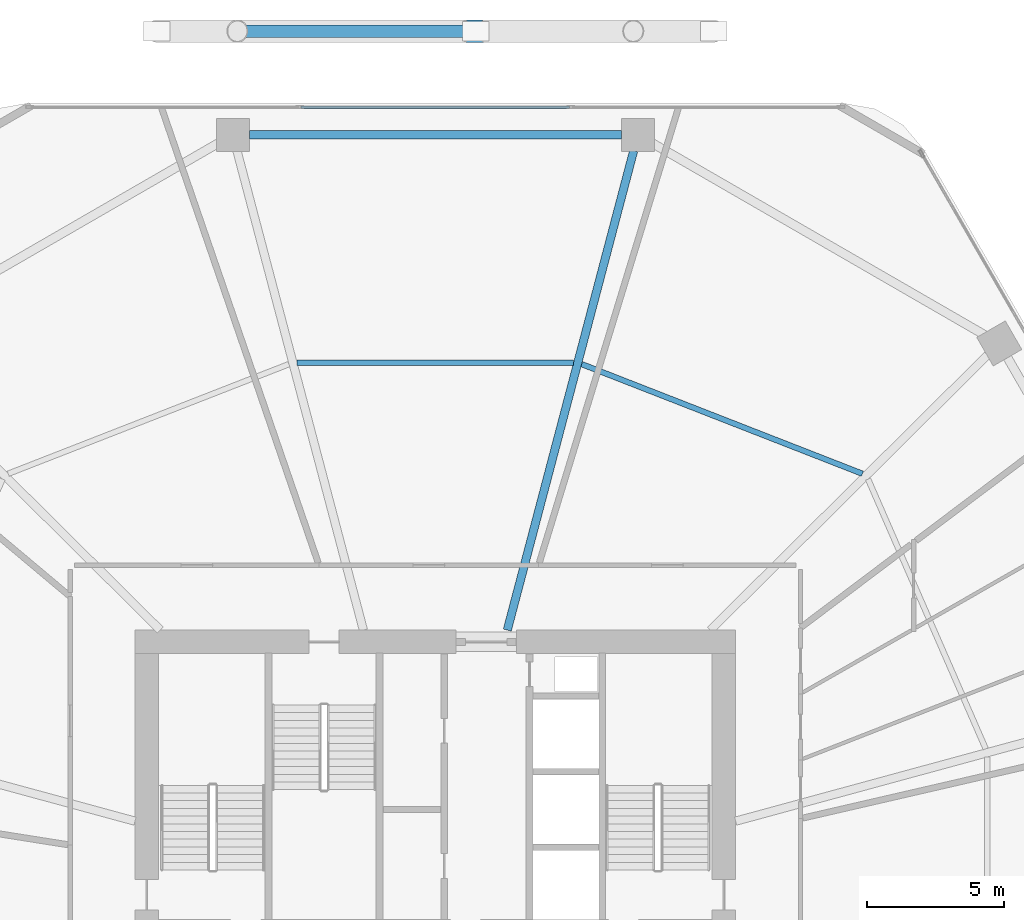
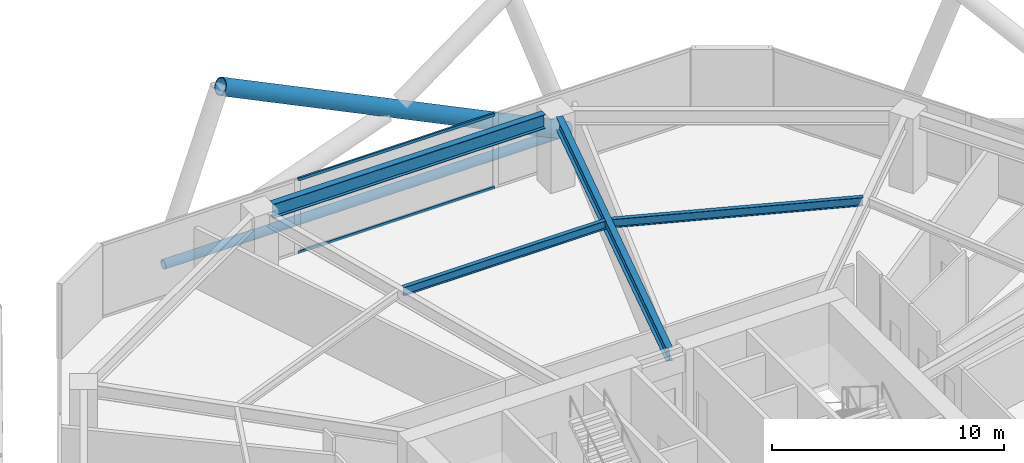
# One storey, part 21 of 29: 4 beams, 4 members, 1 element without a shape of its own.
"""IFC4 building model written with IfcOpenShell, lengths in metres."""

from ifc_helpers import new_model, si_unit, direction, frame, origin, origin_2d, place, context, subcontext, project, spatial, hollow_rectangle, hollow_circle, i_section, extrude, material, material_profile, profile_set, type_object, element, aggregate, save


model = new_model("IFC4")

# Units and contexts
model_context = context("Model", 3, precision=1e-05, world=origin(), true_north=direction((0.0, 1.0)))
body_context = subcontext(model_context, "Body", "Model", "MODEL_VIEW")
ifc_project = project(units=[si_unit("LENGTHUNIT", "METRE"), si_unit("AREAUNIT", "SQUARE_METRE"), si_unit("VOLUMEUNIT", "CUBIC_METRE"), si_unit("PLANEANGLEUNIT", "RADIAN"), si_unit("MASSUNIT", "GRAM", prefix="KILO")], contexts=[model_context])

# Site, building, storey
site_placement = place(None, origin())
site = spatial("IfcSite", under=ifc_project, at=site_placement, CompositionType="ELEMENT")
building_placement = place(site_placement, origin())
building = spatial("IfcBuilding", under=site, at=building_placement, Name="Zuhravey Tower", CompositionType="ELEMENT")
storey_placement = place(building_placement, frame((0.0, 0.0, 41.39990234375)))
storey = spatial("IfcBuildingStorey", under=building, at=storey_placement, Name="L10", CompositionType="ELEMENT", Elevation=41.39990234375)

# Curtain wall, members
ifc_material_1 = material(Name="Thermally broken anodised aluminium", Category="aluminium")
curtain_wall_type = type_object("IfcCurtainWallType", Name="School Low-E Unitised Curtain Wall CW1", PredefinedType="NOTDEFINED", material=ifc_material_1)
curtain_wall_placement = place(storey_placement, origin())
curtain_wall = element("IfcCurtainWall", 1, at=curtain_wall_placement, inside=storey, type_object=curtain_wall_type, Name="L10 CW1 CW-L10-F2-1", PredefinedType="NOTDEFINED")
ifc_material_2 = material(Name="Anodised aluminium", Category="aluminium")
ifc_material_profile_1 = material_profile(ifc_material_2, hollow_rectangle(XDim=0.090087890625, YDim=0.14990234375, WallThickness=0.0048828125, at=origin_2d()), Name="ALU-RHS-90x150x5")
ifc_profile_set_1 = profile_set([ifc_material_profile_1], Name="Anodised aluminium")
member_type_1 = type_object("IfcMemberType", Name="Curtain-Wall Transom 90x150", PredefinedType="USERDEFINED", material=ifc_profile_set_1)
member_1_placement = place(storey_placement, frame((31.11181640625, 60.95849609375, 0.045166015625), z_axis=(1.0, 0.0, 0.0), x_axis=(0.0, 1.0, 0.0)))
member_1 = element("IfcMember", 2, at=member_1_placement, type_object=member_type_1, Name="CW1 transom 2.1", ObjectType="TRANSOM", PredefinedType="USERDEFINED", context=body_context, shape_type="SweptSolid", body=[
    extrude(hollow_rectangle(XDim=0.090087890625, YDim=0.14990234375, WallThickness=0.0048828125, at=origin_2d()), origin(), (0.0, 0.0, 1.0), 9.7763671875),
])
member_2_placement = place(storey_placement, frame((31.11181640625, 60.95849609375, 3.875), z_axis=(1.0, 0.0, 0.0), x_axis=(0.0, 1.0, 0.0)))
member_2 = element("IfcMember", 3, at=member_2_placement, type_object=member_type_1, Name="CW1 transom 2.2", ObjectType="TRANSOM", PredefinedType="USERDEFINED", context=body_context, shape_type="SweptSolid", body=[
    extrude(hollow_rectangle(XDim=0.090087890625, YDim=0.14990234375, WallThickness=0.0048828125, at=origin_2d()), origin(), (0.0, 0.0, 1.0), 9.7763671875),
])
aggregate(curtain_wall, [member_1, member_2])

# Members
ifc_material_3 = material(Name="Steel SM355", Category="steel")
ifc_material_profile_2 = material_profile(ifc_material_3, hollow_circle(Radius=0.228515625, WallThickness=0.02197265625, at=origin_2d()), Name="CHS-457.2x22")
ifc_profile_set_2 = profile_set([ifc_material_profile_2], Name="Steel SM355")
member_type_2 = type_object("IfcMemberType", Name="Exoskeleton Ring Tie CHS457x22", PredefinedType="CHORD", material=ifc_profile_set_2)
member_3_placement = place(storey_placement, frame((45.996826171875, 63.718505859375, -0.493896484375), z_axis=(-1.0, 0.0, 0.0), x_axis=(0.0, -1.0, 0.0)))
element("IfcMember", 4, at=member_3_placement, inside=storey, type_object=member_type_2, Name="L10 Exoskeleton Face 2 Tie EXR1", PredefinedType="CHORD", context=body_context, shape_type="SweptSolid", body=[
    extrude(hollow_circle(Radius=0.228515625, WallThickness=0.02197265625, at=origin_2d()), origin(), (0.0, 0.0, 1.0), 19.99365234375),
])
ifc_material_4 = material(Name="Steel SM460", Category="steel")
ifc_material_profile_3 = material_profile(ifc_material_4, hollow_circle(Radius=0.406494140625, WallThickness=0.035888671875, at=origin_2d()), Name="CHS-812.8x36")
ifc_profile_set_3 = profile_set([ifc_material_profile_3], Name="Steel SM460")
member_type_3 = type_object("IfcMemberType", Name="Exoskeleton Zone 1 Diagrid CHS813x36", PredefinedType="BRACE", material=ifc_profile_set_3)
member_4_placement = place(storey_placement, frame((46.09130859375, 63.718505859375, -0.471923828125), z_axis=(-0.899869583891, 0.0, 0.436159067299), x_axis=(0.0, -1.0, 0.0)))
element("IfcMember", 5, at=member_4_placement, inside=storey, type_object=member_type_3, Name="L10 Face 2 Diagrid Brace 2", PredefinedType="BRACE", context=body_context, shape_type="SweptSolid", body=[
    extrude(hollow_circle(Radius=0.406494140625, WallThickness=0.035888671875, at=origin_2d()), origin(), (0.0, 0.0, 1.0), 19.157958984375),
])

# Beams
ifc_material_profile_4 = material_profile(ifc_material_3, i_section(OverallWidth=0.320068359375, OverallDepth=0.75, WebThickness=0.013916015625, FlangeThickness=0.02490234375, at=origin_2d()), Name="H-750x320x14x25")
ifc_profile_set_4 = profile_set([ifc_material_profile_4], Name="Steel SM355")
beam_type_1 = type_object("IfcBeamType", Name="Perimeter Ring Beam H750x320", PredefinedType="BEAM", material=ifc_profile_set_4)
beam_1_placement = place(storey_placement, frame((42.76708984375, 59.948486328125, 3.545166015625), z_axis=(-1.0, 0.0, 0.0), x_axis=(0.0, -1.0, 0.0)))
element("IfcBeam", 6, at=beam_1_placement, inside=storey, type_object=beam_type_1, Name="L10 PB1 BM-L10-PB-03", PredefinedType="BEAM", context=body_context, shape_type="SweptSolid", body=[
    extrude(i_section(OverallWidth=0.320068359375, OverallDepth=0.75, WebThickness=0.013916015625, FlangeThickness=0.02490234375, at=origin_2d()), origin(), (0.0, 0.0, 1.0), 13.5341796875),
])
ifc_material_profile_5 = material_profile(ifc_material_3, i_section(OverallWidth=0.300048828125, OverallDepth=0.699951171875, WebThickness=0.012939453125, FlangeThickness=0.02392578125, at=origin_2d()), Name="H-700x300x13x24")
ifc_profile_set_5 = profile_set([ifc_material_profile_5], Name="Steel SM355")
beam_type_2 = type_object("IfcBeamType", Name="Radial Primary Girder H700x300", PredefinedType="BEAM", material=ifc_profile_set_5)
beam_2_placement = place(storey_placement, frame((38.617919921875, 41.927978515625, 3.570068359375), z_axis=(0.254989720435, 0.966943763862, 0.0), x_axis=(-0.966943763862, 0.254989720435, 0.0)))
element("IfcBeam", 7, at=beam_2_placement, inside=storey, type_object=beam_type_2, Name="L10 RG1 BM-L10-RAD-03", PredefinedType="BEAM", context=body_context, shape_type="SweptSolid", body=[
    extrude(i_section(OverallWidth=0.300048828125, OverallDepth=0.699951171875, WebThickness=0.012939453125, FlangeThickness=0.02392578125, at=origin_2d()), origin(), (0.0, 0.0, 1.0), 18.03369140625),
])
ifc_material_profile_6 = material_profile(ifc_material_3, i_section(OverallWidth=0.199951171875, OverallDepth=0.449951171875, WebThickness=0.009033203125, FlangeThickness=0.013916015625, at=origin_2d()), Name="H-450x200x9x14")
ifc_profile_set_6 = profile_set([ifc_material_profile_6], Name="Steel SM355")
beam_type_3 = type_object("IfcBeamType", Name="Secondary Floor Joist H450x200", PredefinedType="JOIST", material=ifc_profile_set_6)
beam_3_placement = place(storey_placement, frame((51.5400390625, 47.61572265625, 3.695068359375), z_axis=(-0.931516535886, 0.363698973562, 0.0), x_axis=(-0.363698973562, -0.931516535886, 0.0)))
element("IfcBeam", 8, at=beam_3_placement, inside=storey, type_object=beam_type_3, Name="L10 SJ1 BM-L10-SJ-02-1", PredefinedType="JOIST", context=body_context, shape_type="SweptSolid", body=[
    extrude(i_section(OverallWidth=0.199951171875, OverallDepth=0.449951171875, WebThickness=0.009033203125, FlangeThickness=0.013916015625, at=origin_2d()), origin(), (0.0, 0.0, 1.0), 10.963134765625),
])
beam_4_placement = place(storey_placement, frame((41.030029296875, 51.6591796875, 3.695068359375), z_axis=(-1.0, 0.0, 0.0), x_axis=(0.0, -1.0, 0.0)))
element("IfcBeam", 9, at=beam_4_placement, inside=storey, type_object=beam_type_3, Name="L10 SJ1 BM-L10-SJ-03-1", PredefinedType="JOIST", context=body_context, shape_type="SweptSolid", body=[
    extrude(i_section(OverallWidth=0.199951171875, OverallDepth=0.449951171875, WebThickness=0.009033203125, FlangeThickness=0.013916015625, at=origin_2d()), origin(), (0.0, 0.0, 1.0), 10.06005859375),
])

save(model, "model.ifc")
